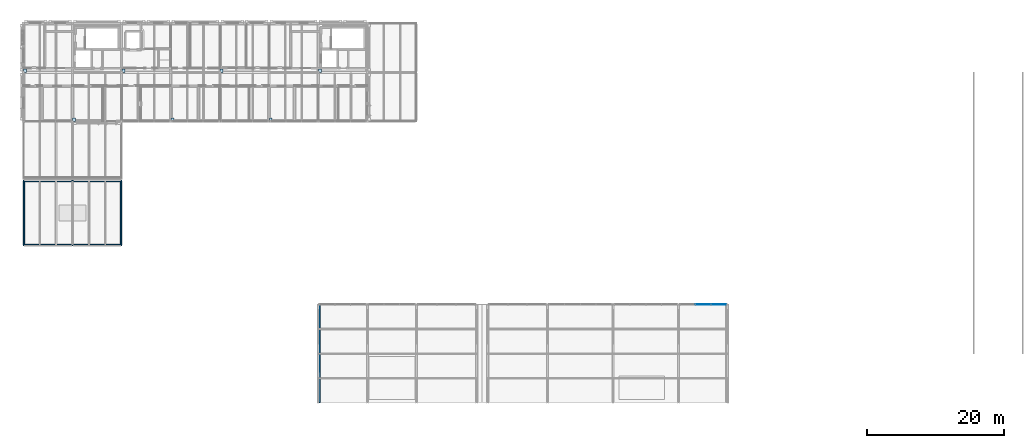
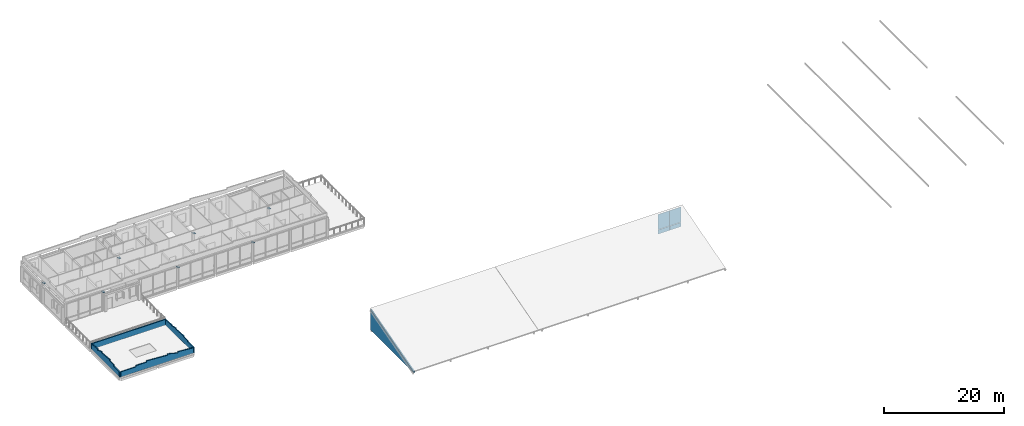
# One storey, part 23 of 32: 11 plates, 5 walls, 1 element without a shape of its own.
"""IFC4 building model written with IfcOpenShell, lengths in metres."""

from ifc_helpers import new_model, si_unit, direction, frame, frame_2d, origin, origin_2d, place, context, subcontext, project, spatial, polyline, rectangle, outline, extrude, material, layer, layer_set, type_object, element, aggregate, save


model = new_model("IFC4")

# Units and contexts
model_context = context("Model", 3, precision=1e-05, world=origin(), true_north=direction((0.0, 1.0)))
body_context = subcontext(model_context, "Body", "Model", "MODEL_VIEW")
ifc_project = project(units=[si_unit("LENGTHUNIT", "METRE"), si_unit("AREAUNIT", "SQUARE_METRE"), si_unit("VOLUMEUNIT", "CUBIC_METRE"), si_unit("PLANEANGLEUNIT", "RADIAN"), si_unit("MASSUNIT", "GRAM", prefix="KILO")], contexts=[model_context])

# Site, building, storey
site_placement = place(None, origin())
site = spatial("IfcSite", under=ifc_project, at=site_placement, CompositionType="ELEMENT")
building_placement = place(site_placement, origin())
building = spatial("IfcBuilding", under=site, at=building_placement, Name="Hawrajan Terrace Health Centre", CompositionType="ELEMENT")
storey_placement = place(building_placement, frame((0.0, 0.0, 17.39990234375)))
storey = spatial("IfcBuildingStorey", under=building, at=storey_placement, Name="L04", CompositionType="ELEMENT", Elevation=17.39990234375)

# Curtain wall, plates
ifc_material_1 = material(Name="Anodized bronze aluminium and low-E solar glazing", Category="aluminium")
curtain_wall_type = type_object("IfcCurtainWallType", Name="CW_Clerestory_SeriesG1", PredefinedType="USERDEFINED", material=ifc_material_1)
curtain_wall_placement = place(storey_placement, origin())
curtain_wall = element("IfcCurtainWall", 1, at=curtain_wall_placement, inside=storey, type_object=curtain_wall_type, Name="Curtain wall CW-L04-CLER-185", ObjectType="UNITISED CURTAIN WALL", PredefinedType="USERDEFINED")
ifc_material_2 = material(Name="Diffused north-light insulated glazing", Category="glass")
ifc_layer_1 = layer(ifc_material_2, 0.031982421875)
ifc_layer_set_1 = layer_set([ifc_layer_1], Name="Diffused north-light insulated glazing")
plate_type_1 = type_object("IfcPlateType", Name="ClerestoryGlassPanel_32", PredefinedType="CURTAIN_PANEL", material=ifc_layer_set_1)
plate_1_placement = place(storey_placement, frame((104.199951171875, 18.60009765625, 0.781494140625), z_axis=(0.0, 0.0, 1.0), x_axis=(1.0, 0.0, 0.0)))
plate_1 = element("IfcPlate", 2, at=plate_1_placement, type_object=plate_type_1, Name="Curtain panel CW-L04-CLER-185-P2-2", PredefinedType="CURTAIN_PANEL", context=body_context, shape_type="SweptSolid", body=[
    extrude(rectangle(XDim=2.19873046875, YDim=0.031982421875, at=origin_2d()), origin(), (0.0, 0.0, 1.0), 3.07861328125),
])
plate_2_placement = place(storey_placement, frame((106.461669921875, 18.60009765625, 0.781494140625), z_axis=(0.0, 0.0, 1.0), x_axis=(1.0, 0.0, 0.0)))
plate_2 = element("IfcPlate", 3, at=plate_2_placement, type_object=plate_type_1, Name="Curtain panel CW-L04-CLER-185-P3-2", PredefinedType="CURTAIN_PANEL", context=body_context, shape_type="SweptSolid", body=[
    extrude(rectangle(XDim=2.19873046875, YDim=0.031982421875, at=origin_2d()), origin(), (0.0, 0.0, 1.0), 3.07861328125),
])

# Plates
ifc_material_3 = material(Name="Steel S355", Category="steel")
ifc_layer_2 = layer(ifc_material_3, 0.01806640625)
ifc_layer_set_2 = layer_set([ifc_layer_2], Name="Steel S355")
plate_type_2 = type_object("IfcPlateType", Name="GussetPlate_S355_18", PredefinedType="SHEET", material=ifc_layer_set_2)
for number, where, z_axis, x_axis, name in (
    (4, (4.85009765625, 52.85009765625, 3.64111328125), (0.0, 0.0, 1.0), (1.0, 0.0, 0.0), "Roof brace gusset plate 01-7"),
    (5, (12.050048828125, 45.64990234375, 3.64111328125), (0.0, 0.0, 1.0), (1.0, 0.0, 0.0), "Roof brace gusset plate 02-6"),
    (6, (19.25, 52.85009765625, 3.64111328125), (0.0, 0.0, 1.0), (1.0, 0.0, 0.0), "Roof brace gusset plate 03-7"),
    (7, (26.449951171875, 45.64990234375, 3.64111328125), (0.0, 0.0, 1.0), (1.0, 0.0, 0.0), "Roof brace gusset plate 04-6"),
    (8, (33.64990234375, 52.85009765625, 3.64111328125), (0.0, 0.0, 1.0), (1.0, 0.0, 0.0), "Roof brace gusset plate 05-7"),
    (9, (40.85009765625, 45.64990234375, 3.64111328125), (0.0, 0.0, 1.0), (1.0, 0.0, 0.0), "Roof brace gusset plate 06-6"),
    (10, (48.050048828125, 52.85009765625, 3.64111328125), (0.0, 0.0, 1.0), (1.0, 0.0, 0.0), "Roof brace gusset plate 07-7"),
):
    element("IfcPlate", number, at=place(storey_placement, frame(where, z_axis=z_axis, x_axis=x_axis)), inside=storey, type_object=plate_type_2, Name=name, PredefinedType="SHEET", context=body_context, shape_type="SweptSolid", body=[
        extrude(rectangle(XDim=0.419921875, YDim=0.52001953125, at=origin_2d()), origin(), (0.0, 0.0, 1.0), 0.01806640625),
    ])

# Plate
ifc_material_4 = material(Name="Insulated reconstituted coral-stone spandrel", Category="masonry")
ifc_layer_3 = layer(ifc_material_4, 0.055908203125)
ifc_layer_set_3 = layer_set([ifc_layer_3], Name="Insulated reconstituted coral-stone spandrel")
plate_type_3 = type_object("IfcPlateType", Name="SpandrelPanel_Coral56", PredefinedType="CURTAIN_PANEL", material=ifc_layer_set_3)
plate_3_placement = place(storey_placement, frame((104.199951171875, 18.60009765625, -0.130859375), z_axis=(0.0, 0.0, 1.0), x_axis=(1.0, 0.0, 0.0)))
plate_3 = element("IfcPlate", 11, at=plate_3_placement, type_object=plate_type_3, Name="Curtain panel CW-L04-CLER-185-P2-1", PredefinedType="CURTAIN_PANEL", context=body_context, shape_type="SweptSolid", body=[
    extrude(rectangle(XDim=2.19873046875, YDim=0.055908203125, at=origin_2d()), origin(), (0.0, 0.0, 1.0), 0.849609375),
])

plate_4_placement = place(storey_placement, frame((106.461669921875, 18.60009765625, -0.130859375), z_axis=(0.0, 0.0, 1.0), x_axis=(1.0, 0.0, 0.0)))
plate_4 = element("IfcPlate", 12, at=plate_4_placement, type_object=plate_type_3, Name="Curtain panel CW-L04-CLER-185-P3-1", PredefinedType="CURTAIN_PANEL", context=body_context, shape_type="SweptSolid", body=[
    extrude(rectangle(XDim=2.19873046875, YDim=0.055908203125, at=origin_2d()), origin(), (0.0, 0.0, 1.0), 0.849609375),
])

aggregate(curtain_wall, [plate_3, plate_1, plate_4, plate_2])

# Walls
ifc_material_5 = material(Name="Cross-laminated timber CLT C24", Category="wood")
ifc_layer_4 = layer(ifc_material_5, 0.2900390625)
ifc_layer_set_4 = layer_set([ifc_layer_4], Name="Cross-laminated timber CLT C24")
wall_type_1 = type_object("IfcWallType", Name="InsulatedTimberFacade_290", PredefinedType="SOLIDWALL", material=ifc_layer_set_4)
wall_1_placement = place(storey_placement, frame((47.949951171875, 4.199951171875, -0.199951171875), z_axis=(0.0, 0.0, 1.0), x_axis=(0.0, 1.0, 0.0)))
element("IfcWall", 13, at=wall_1_placement, inside=storey, type_object=wall_type_1, Name="North-light shed gable wall TYM-V3-L04-W", PredefinedType="SOLIDWALL", context=body_context, shape_type="SweptSolid", body=[
    extrude(outline(polyline([(0.0, 0.0), (14.400146484375, 0.0), (14.39990234375, 4.129150390625), (0.0, 0.179931640625), (0.0, 0.0)])), frame((0.0, 0.14501953125, 0.0), z_axis=(0.0, -1.0, 0.0), x_axis=(1.0, 0.0, 0.0)), (0.0, 0.0, 1.0), 0.2900390625),
])
ifc_material_6 = material(Name="Precast concrete C40/50", Category="concrete")
ifc_layer_5 = layer(ifc_material_6, 0.18994140625)
ifc_layer_set_5 = layer_set([ifc_layer_5], Name="Precast concrete C40/50")
wall_type_2 = type_object("IfcWallType", Name="TerraceParapet_190", PredefinedType="PARAPET", material=ifc_layer_set_5)
wall_2_placement = place(storey_placement, frame((4.699951171875, 27.199951171875, 0.0), z_axis=(0.0, 0.0, 1.0), x_axis=(0.0, 1.0, 0.0)))
element("IfcWall", 14, at=wall_2_placement, inside=storey, type_object=wall_type_2, Name="Stepped Art Deco parapet PAR-L04-W1", PredefinedType="PARAPET", context=body_context, shape_type="SweptSolid", body=[
    extrude(outline(polyline([(0.0, 0.0), (9.550048828125, 0.0), (9.550048828125, 1.050048828125), (7.448974609375, 1.300048828125), (7.448974609375, 1.050048828125), (6.112060546875, 1.550048828125), (6.112060546875, 1.300048828125), (3.43798828125, 1.550048828125), (3.43798828125, 1.300048828125), (2.10107421875, 1.300048828125), (2.10107421875, 1.050048828125), (0.0, 1.050048828125), (0.0, 0.0)])), frame((0.0, 0.094970703125, 0.0), z_axis=(0.0, -1.0, 0.0), x_axis=(1.0, 0.0, 0.0)), (0.0, 0.0, 1.0), 0.18994140625),
])
wall_3_placement = place(storey_placement, frame((4.60009765625, 27.300048828125, 0.0), z_axis=(0.0, 0.0, 1.0), x_axis=(1.0, 0.0, 0.0)))
element("IfcWall", 15, at=wall_3_placement, inside=storey, type_object=wall_type_2, Name="Stepped Art Deco parapet PAR-L04-S1", PredefinedType="PARAPET", context=body_context, shape_type="SweptSolid", body=[
    extrude(outline(polyline([(0.0, 0.0), (14.39990234375, 0.0), (14.39990234375, 1.050048828125), (11.23193359375, 1.300048828125), (11.23193359375, 1.050048828125), (9.216064453125, 1.550048828125), (9.216064453125, 1.300048828125), (5.18408203125, 1.550048828125), (5.18408203125, 1.300048828125), (3.16796875, 1.300048828125), (3.16796875, 1.050048828125), (0.0, 1.050048828125), (0.0, 0.0)])), frame((0.0, 0.094970703125, 0.0), z_axis=(0.0, -1.0, 0.0), x_axis=(1.0, 0.0, 0.0)), (0.0, 0.0, 1.0), 0.18994140625),
])
wall_4_placement = place(storey_placement, frame((18.89990234375, 27.199951171875, 0.0), z_axis=(0.0, 0.0, 1.0), x_axis=(0.0, 1.0, 0.0)))
element("IfcWall", 16, at=wall_4_placement, inside=storey, type_object=wall_type_2, Name="Stepped Art Deco parapet PAR-L04-E1", PredefinedType="PARAPET", context=body_context, shape_type="SweptSolid", body=[
    extrude(outline(polyline([(0.0, 0.0), (9.550048828125, 0.0), (9.550048828125, 1.050048828125), (7.448974609375, 1.22509765625), (7.448974609375, 1.050048828125), (6.112060546875, 1.400146484375), (6.112060546875, 1.22509765625), (3.43798828125, 1.400146484375), (3.43798828125, 1.22509765625), (2.10107421875, 1.22509765625), (2.10107421875, 1.050048828125), (0.0, 1.050048828125), (0.0, 0.0)])), frame((0.0, 0.094970703125, 0.0), z_axis=(0.0, -1.0, 0.0), x_axis=(1.0, 0.0, 0.0)), (0.0, 0.0, 1.0), 0.18994140625),
])
wall_5_placement = place(storey_placement, frame((4.60009765625, 36.679931640625, 0.0), z_axis=(0.0, 0.0, 1.0), x_axis=(1.0, 0.0, 0.0)))
element("IfcWall", 17, at=wall_5_placement, inside=storey, type_object=wall_type_2, Name="Stepped Art Deco parapet PAR-L04-N1", PredefinedType="PARAPET", context=body_context, shape_type="SweptSolid", body=[
    extrude(rectangle(XDim=14.39990234375, YDim=0.18994140625, at=frame_2d((7.199951171875, 0.0))), origin(), (0.0, 0.0, 1.0), 1.150146484375),
])

save(model, "model.ifc")
